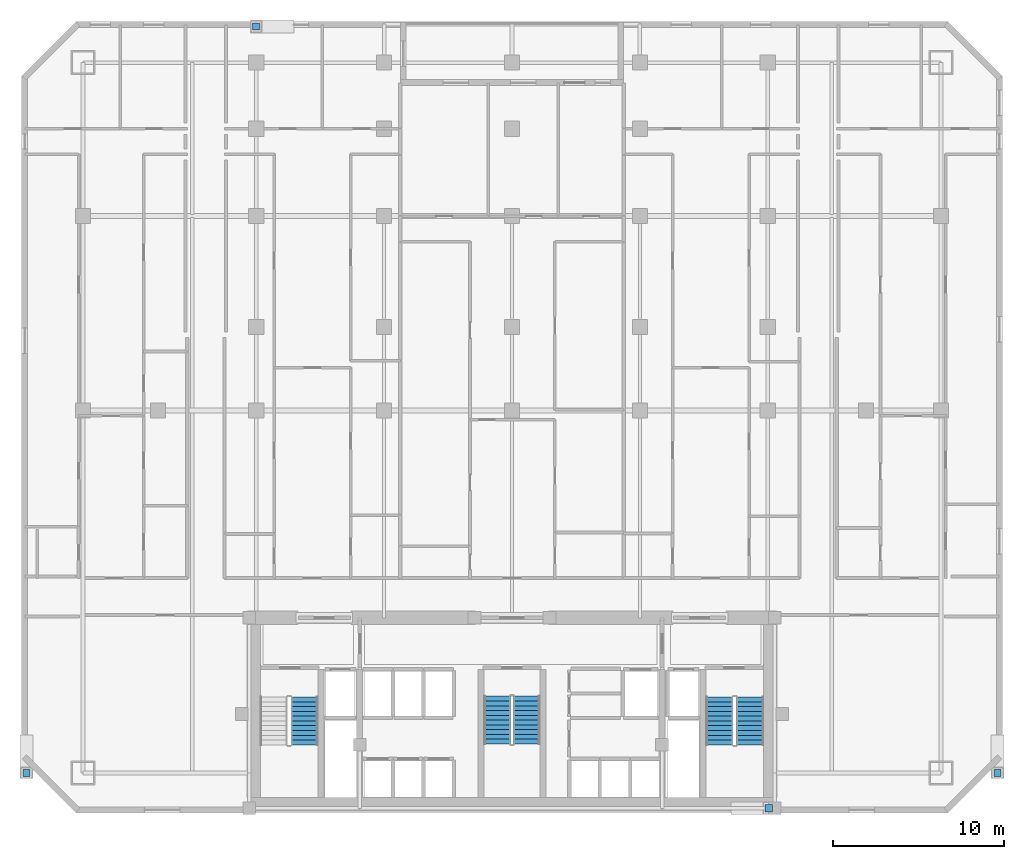
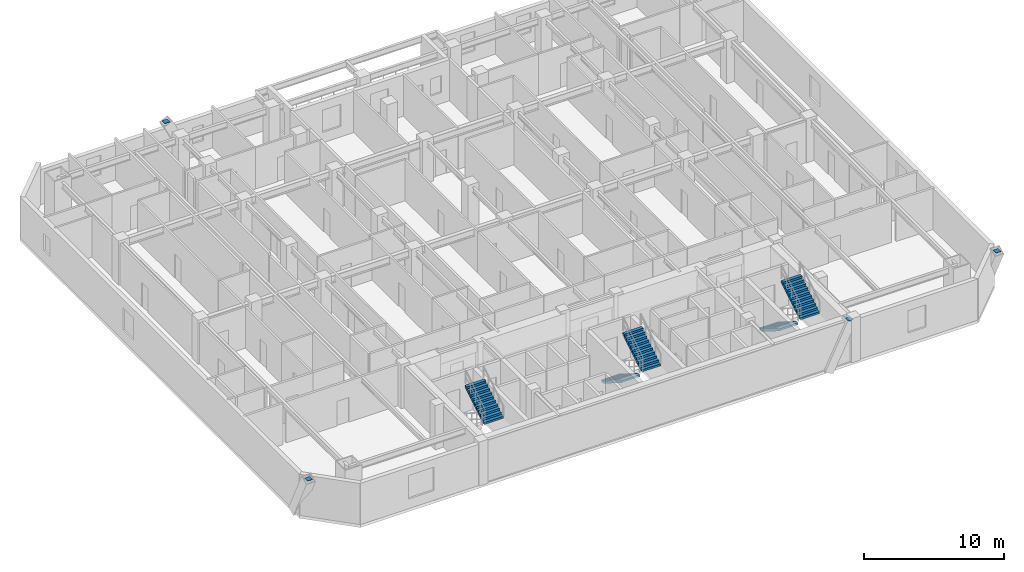
# One storey, part 9 of 10: 5 stair flights, 4 discrete accessories, 3 elements without a shape of their own.
"""IFC4 building model written with IfcOpenShell, lengths in metres."""

from ifc_helpers import new_model, si_unit, direction, frame, origin, origin_2d, place, context, subcontext, project, spatial, polyline, rectangle, outline, extrude, material, type_object, element, aggregate, save


model = new_model("IFC4")

# Units and contexts
model_context = context("Model", 3, precision=1e-05, world=origin(), true_north=direction((0.0, 1.0)))
body_context = subcontext(model_context, "Body", "Model", "MODEL_VIEW")
ifc_project = project(units=[si_unit("LENGTHUNIT", "METRE"), si_unit("AREAUNIT", "SQUARE_METRE"), si_unit("VOLUMEUNIT", "CUBIC_METRE"), si_unit("PLANEANGLEUNIT", "RADIAN"), si_unit("MASSUNIT", "GRAM", prefix="KILO")], contexts=[model_context])

# Site, building, storey
site_placement = place(None, origin())
site = spatial("IfcSite", under=ifc_project, at=site_placement, CompositionType="ELEMENT")
building_placement = place(site_placement, origin())
building = spatial("IfcBuilding", under=site, at=building_placement, Name="Ventersveld Concourse Tower", CompositionType="ELEMENT")
storey_placement = place(building_placement, frame((0.0, 0.0, 56.75)))
storey = spatial("IfcBuildingStorey", under=building, at=storey_placement, Name="L13", CompositionType="ELEMENT", Elevation=56.75)

# Stair, stair flights
ifc_material_1 = material(Name="Concrete C50/60", Category="concrete")
stair_type_1 = type_object("IfcStairType", Name="ST-DOG-155", PredefinedType="HALF_TURN_STAIR", material=ifc_material_1)
stair_1_placement = place(storey_placement, origin())
stair_1 = element("IfcStair", 1, at=stair_1_placement, inside=storey, type_object=stair_type_1, Name="L13 Protected Central Core Escape Stair ST-03", PredefinedType="HALF_TURN_STAIR")
stair_flight_type_1 = type_object("IfcStairFlightType", Name="STF-RC-155", PredefinedType="STRAIGHT", material=ifc_material_1)
stair_flight_1_placement = place(storey_placement, frame((27.875, 6.85009765625, 0.0), z_axis=(0.0, 0.0, 1.0), x_axis=(0.0, -1.0, 0.0)))
stair_flight_1 = element("IfcStairFlight", 2, at=stair_flight_1_placement, type_object=stair_flight_type_1, Name="ST-03 flight 1", NumberOfRisers=11, NumberOfTreads=10, PredefinedType="STRAIGHT", RiserHeight=0.175, TreadLength=0.28, context=body_context, shape_type="SweptSolid", body=[
    extrude(outline(polyline([(0.0, 0.0), (0.0, 0.175048828125), (0.280029296875, 0.175048828125), (0.280029296875, 0.35009765625), (0.56005859375, 0.35009765625), (0.56005859375, 0.52490234375), (0.840087890625, 0.52490234375), (0.840087890625, 0.699951171875), (1.1201171875, 0.699951171875), (1.1201171875, 0.875), (1.39990234375, 0.875), (1.39990234375, 1.050048828125), (1.679931640625, 1.050048828125), (1.679931640625, 1.22509765625), (1.9599609375, 1.22509765625), (1.9599609375, 1.39990234375), (2.239990234375, 1.39990234375), (2.239990234375, 1.574951171875), (2.52001953125, 1.574951171875), (2.52001953125, 1.75), (2.800048828125, 1.75), (2.800048828125, 1.925048828125), (2.800048828125, 1.5732421875), (0.28271484375, 0.0), (0.0, 0.0)])), frame((0.0, 0.77490234375, 0.0), z_axis=(0.0, -1.0, 0.0), x_axis=(1.0, 0.0, 0.0)), (0.0, 0.0, 1.0), 1.550048828125),
])
stair_flight_2_placement = place(storey_placement, frame((29.625, 4.050048828125, 1.925048828125), z_axis=(0.0, 0.0, 1.0), x_axis=(0.0, 1.0, 0.0)))
stair_flight_2 = element("IfcStairFlight", 3, at=stair_flight_2_placement, type_object=stair_flight_type_1, Name="ST-03 flight 2", NumberOfRisers=11, NumberOfTreads=10, PredefinedType="STRAIGHT", RiserHeight=0.175, TreadLength=0.28, context=body_context, shape_type="SweptSolid", body=[
    extrude(outline(polyline([(0.0, 0.0), (0.0, 0.175048828125), (0.280029296875, 0.175048828125), (0.280029296875, 0.35009765625), (0.56005859375, 0.35009765625), (0.56005859375, 0.52490234375), (0.840087890625, 0.52490234375), (0.840087890625, 0.699951171875), (1.1201171875, 0.699951171875), (1.1201171875, 0.875), (1.39990234375, 0.875), (1.39990234375, 1.050048828125), (1.679931640625, 1.050048828125), (1.679931640625, 1.22509765625), (1.9599609375, 1.22509765625), (1.9599609375, 1.39990234375), (2.239990234375, 1.39990234375), (2.239990234375, 1.574951171875), (2.52001953125, 1.574951171875), (2.52001953125, 1.75), (2.800048828125, 1.75), (2.800048828125, 1.925048828125), (2.800048828125, 1.5732421875), (0.28271484375, 0.0), (0.0, 0.0)])), frame((0.0, 0.77490234375, 0.0), z_axis=(0.0, -1.0, 0.0), x_axis=(1.0, 0.0, 0.0)), (0.0, 0.0, 1.0), 1.550048828125),
])
aggregate(stair_1, [stair_flight_1, stair_flight_2])

# Stair, stair flight
stair_type_2 = type_object("IfcStairType", Name="ST-DOG-160", PredefinedType="HALF_TURN_STAIR", material=ifc_material_1)
stair_2_placement = place(storey_placement, origin())
stair_2 = element("IfcStair", 4, at=stair_2_placement, inside=storey, type_object=stair_type_2, Name="L13 Protected Tower Escape Stair ST-01", PredefinedType="HALF_TURN_STAIR")
stair_flight_type_2 = type_object("IfcStairFlightType", Name="STF-RC-160", PredefinedType="STRAIGHT", material=ifc_material_1)
stair_flight_3_placement = place(storey_placement, frame((16.580078125, 4.0, 1.925048828125), z_axis=(0.0, 0.0, 1.0), x_axis=(0.0, 1.0, 0.0)))
stair_flight_3 = element("IfcStairFlight", 5, at=stair_flight_3_placement, type_object=stair_flight_type_2, Name="ST-01 flight 2", NumberOfRisers=11, NumberOfTreads=10, PredefinedType="STRAIGHT", RiserHeight=0.175, TreadLength=0.28, context=body_context, shape_type="SweptSolid", body=[
    extrude(outline(polyline([(0.0, 0.0), (0.0, 0.175048828125), (0.280029296875, 0.175048828125), (0.280029296875, 0.35009765625), (0.56005859375, 0.35009765625), (0.56005859375, 0.52490234375), (0.840087890625, 0.52490234375), (0.840087890625, 0.699951171875), (1.1201171875, 0.699951171875), (1.1201171875, 0.875), (1.39990234375, 0.875), (1.39990234375, 1.050048828125), (1.679931640625, 1.050048828125), (1.679931640625, 1.22509765625), (1.9599609375, 1.22509765625), (1.9599609375, 1.39990234375), (2.239990234375, 1.39990234375), (2.239990234375, 1.574951171875), (2.52001953125, 1.574951171875), (2.52001953125, 1.75), (2.800048828125, 1.75), (2.800048828125, 1.925048828125), (2.800048828125, 1.5732421875), (0.28271484375, 0.0), (0.0, 0.0)])), frame((0.0, 0.800048828125, 0.0), z_axis=(0.0, -1.0, 0.0), x_axis=(1.0, 0.0, 0.0)), (0.0, 0.0, 1.0), 1.60009765625),
])
aggregate(stair_2, [stair_flight_3])

# Stair, stair flights
stair_3_placement = place(storey_placement, origin())
stair_3 = element("IfcStair", 6, at=stair_3_placement, inside=storey, type_object=stair_type_2, Name="L13 Protected Tower Escape Stair ST-02", PredefinedType="HALF_TURN_STAIR")
stair_flight_4_placement = place(storey_placement, frame((40.919921875, 6.800048828125, 0.0), z_axis=(0.0, 0.0, 1.0), x_axis=(0.0, -1.0, 0.0)))
stair_flight_4 = element("IfcStairFlight", 7, at=stair_flight_4_placement, type_object=stair_flight_type_2, Name="ST-02 flight 1", NumberOfRisers=11, NumberOfTreads=10, PredefinedType="STRAIGHT", RiserHeight=0.175, TreadLength=0.28, context=body_context, shape_type="SweptSolid", body=[
    extrude(outline(polyline([(0.0, 0.0), (0.0, 0.175048828125), (0.280029296875, 0.175048828125), (0.280029296875, 0.35009765625), (0.56005859375, 0.35009765625), (0.56005859375, 0.52490234375), (0.840087890625, 0.52490234375), (0.840087890625, 0.699951171875), (1.1201171875, 0.699951171875), (1.1201171875, 0.875), (1.39990234375, 0.875), (1.39990234375, 1.050048828125), (1.679931640625, 1.050048828125), (1.679931640625, 1.22509765625), (1.9599609375, 1.22509765625), (1.9599609375, 1.39990234375), (2.239990234375, 1.39990234375), (2.239990234375, 1.574951171875), (2.52001953125, 1.574951171875), (2.52001953125, 1.75), (2.800048828125, 1.75), (2.800048828125, 1.925048828125), (2.800048828125, 1.5732421875), (0.28271484375, 0.0), (0.0, 0.0)])), frame((0.0, 0.800048828125, 0.0), z_axis=(0.0, -1.0, 0.0), x_axis=(1.0, 0.0, 0.0)), (0.0, 0.0, 1.0), 1.60009765625),
])
stair_flight_5_placement = place(storey_placement, frame((42.719970703125, 4.0, 1.925048828125), z_axis=(0.0, 0.0, 1.0), x_axis=(0.0, 1.0, 0.0)))
stair_flight_5 = element("IfcStairFlight", 8, at=stair_flight_5_placement, type_object=stair_flight_type_2, Name="ST-02 flight 2", NumberOfRisers=11, NumberOfTreads=10, PredefinedType="STRAIGHT", RiserHeight=0.175, TreadLength=0.28, context=body_context, shape_type="SweptSolid", body=[
    extrude(outline(polyline([(0.0, 0.0), (0.0, 0.175048828125), (0.280029296875, 0.175048828125), (0.280029296875, 0.35009765625), (0.56005859375, 0.35009765625), (0.56005859375, 0.52490234375), (0.840087890625, 0.52490234375), (0.840087890625, 0.699951171875), (1.1201171875, 0.699951171875), (1.1201171875, 0.875), (1.39990234375, 0.875), (1.39990234375, 1.050048828125), (1.679931640625, 1.050048828125), (1.679931640625, 1.22509765625), (1.9599609375, 1.22509765625), (1.9599609375, 1.39990234375), (2.239990234375, 1.39990234375), (2.239990234375, 1.574951171875), (2.52001953125, 1.574951171875), (2.52001953125, 1.75), (2.800048828125, 1.75), (2.800048828125, 1.925048828125), (2.800048828125, 1.5732421875), (0.28271484375, 0.0), (0.0, 0.0)])), frame((0.0, 0.800048828125, 0.0), z_axis=(0.0, -1.0, 0.0), x_axis=(1.0, 0.0, 0.0)), (0.0, 0.0, 1.0), 1.60009765625),
])
aggregate(stair_3, [stair_flight_4, stair_flight_5])

# Discrete accessories
ifc_material_2 = material(Name="Structural steel S355J2", Category="steel")
discrete_accessory_type = type_object("IfcDiscreteAccessoryType", Name="CONN-BRACE-ECP1", PredefinedType="BRACKET", material=ifc_material_2)
for number, where, z_axis, x_axis, name in (
    (9, (13.75, 46.1201171875, 3.580078125), (0.0, 0.0, 1.0), (1.0, 0.0, 0.0), "L13 Steel Brace End Connection Plate ECP1-0220"),
    (10, (43.800048828125, 0.280029296875, 3.580078125), (0.0, 0.0, 1.0), (1.0, 0.0, 0.0), "L13 Steel Brace End Connection Plate ECP1-0224"),
    (11, (0.280029296875, 2.35009765625, 3.580078125), (0.0, 0.0, 1.0), (1.0, 0.0, 0.0), "L13 Steel Brace End Connection Plate ECP1-0228"),
    (12, (57.219970703125, 2.35009765625, 3.580078125), (0.0, 0.0, 1.0), (1.0, 0.0, 0.0), "L13 Steel Brace End Connection Plate ECP1-0232"),
):
    element("IfcDiscreteAccessory", number, at=place(storey_placement, frame(where, z_axis=z_axis, x_axis=x_axis)), inside=storey, type_object=discrete_accessory_type, Name=name, PredefinedType="BRACKET", context=body_context, shape_type="SweptSolid", body=[
        extrude(rectangle(XDim=0.419921875, YDim=0.419921875, at=origin_2d()), origin(), (0.0, 0.0, 1.0), 0.0400390625),
    ])

save(model, "model.ifc")
